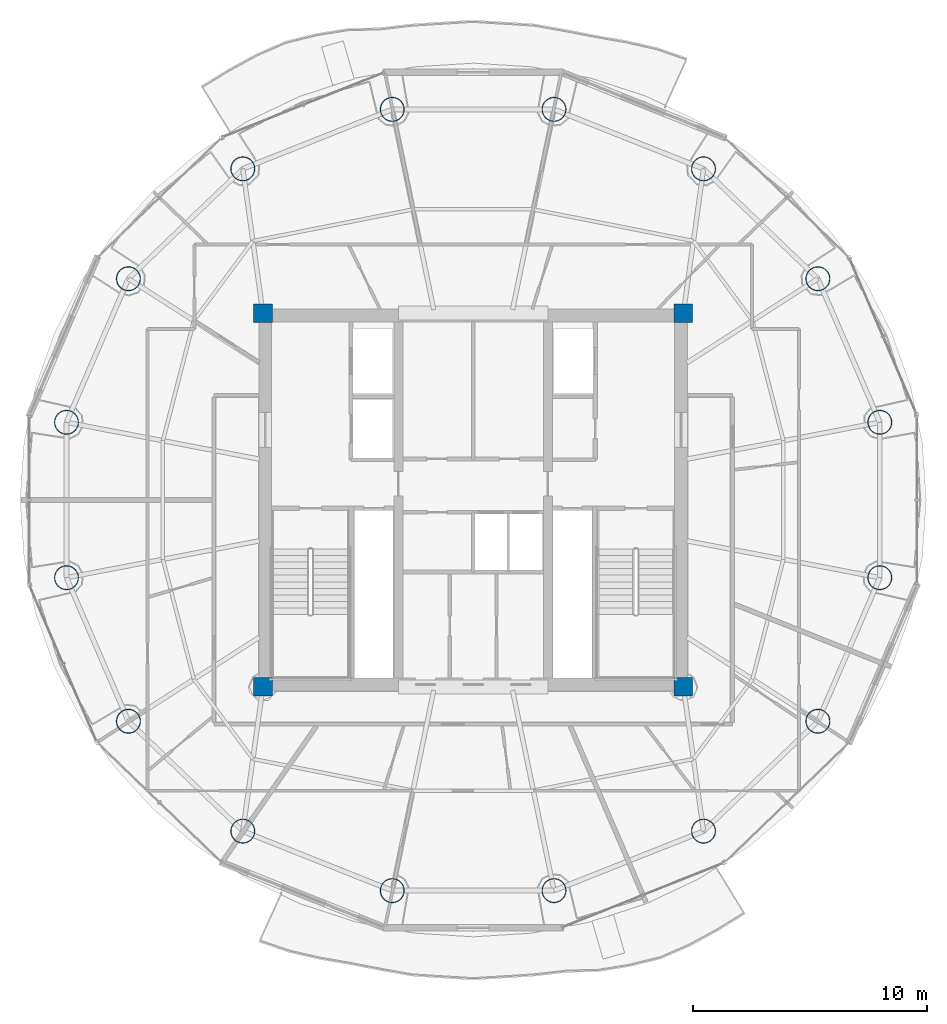
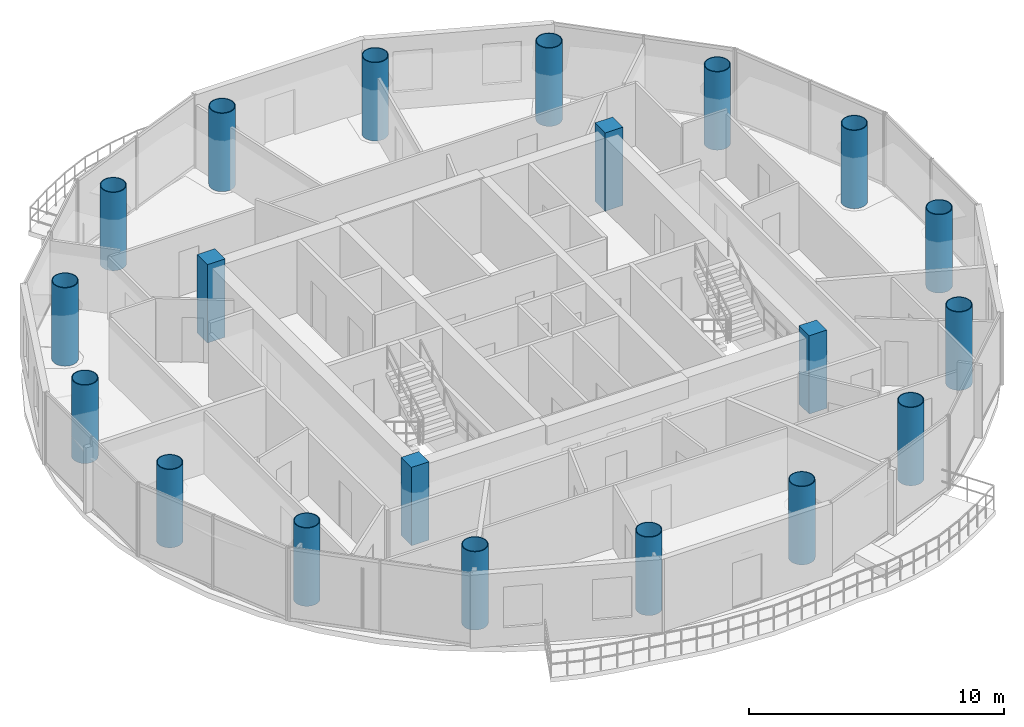
# One storey, part 1 of 24: 20 columns.
"""IFC4 building model written with IfcOpenShell, lengths in metres."""

from ifc_helpers import new_model, si_unit, direction, frame, origin, origin_2d, place, context, subcontext, project, spatial, rectangle, hollow_circle, extrude, material, material_profile, profile_set, type_object, element, save


model = new_model("IFC4")

# Units and contexts
model_context = context("Model", 3, precision=1e-05, world=origin(), true_north=direction((-0.2419218956, 0.970295726276)))
body_context = subcontext(model_context, "Body", "Model", "MODEL_VIEW")
ifc_project = project(units=[si_unit("LENGTHUNIT", "METRE"), si_unit("AREAUNIT", "SQUARE_METRE"), si_unit("VOLUMEUNIT", "CUBIC_METRE"), si_unit("PLANEANGLEUNIT", "RADIAN"), si_unit("MASSUNIT", "GRAM", prefix="KILO")], contexts=[model_context])

# Site, building, storey
site_placement = place(None, origin())
site = spatial("IfcSite", under=ifc_project, at=site_placement, CompositionType="ELEMENT")
building_placement = place(site_placement, origin())
building = spatial("IfcBuilding", under=site, at=building_placement, Name="Cobrevalo Terracotta Tower", CompositionType="ELEMENT")
storey_placement = place(building_placement, frame((0.0, 0.0, 274.449951171875)))
storey = spatial("IfcBuildingStorey", under=building, at=storey_placement, Name="L72", CompositionType="ELEMENT", Elevation=274.449951171875)

# Columns
ifc_material_1 = material(Name="Steel S355", Category="steel")
ifc_material_profile_1 = material_profile(ifc_material_1, hollow_circle(Radius=0.52490234375, WallThickness=0.034912109375, at=origin_2d()), Name="CHS 1050x35")
ifc_profile_set_1 = profile_set([ifc_material_profile_1], Name="Steel S355")
column_type_1 = type_object("IfcColumnType", Name="Structural Column CHS 1050x35 (Steel S355)", PredefinedType="COLUMN", material=ifc_profile_set_1)
for number, where, z_axis, x_axis, name in (
    (1, (55.408935546875, 30.126220703125, 0.0), (0.0, 0.0, 1.0), (1.0, 0.0, 0.0), "L72 composite megacolumn MC01"),
    (2, (52.758544921875, 36.2724609375, 0.0), (0.0, 0.0, 1.0), (1.0, 0.0, 0.0), "L72 composite megacolumn MC02"),
    (3, (47.861328125, 40.9765625, 0.0), (0.0, 0.0, 1.0), (1.0, 0.0, 0.0), "L72 composite megacolumn MC03"),
    (4, (41.462890625, 43.5224609375, 0.0), (0.0, 0.0, 1.0), (1.0, 0.0, 0.0), "L72 composite megacolumn MC04"),
    (5, (34.537109375, 43.5224609375, 0.0), (0.0, 0.0, 1.0), (1.0, 0.0, 0.0), "L72 composite megacolumn MC05"),
    (6, (28.138671875, 40.9765625, 0.0), (0.0, 0.0, 1.0), (1.0, 0.0, 0.0), "L72 composite megacolumn MC06"),
    (7, (23.241455078125, 36.2724609375, 0.0), (0.0, 0.0, 1.0), (1.0, 0.0, 0.0), "L72 composite megacolumn MC07"),
    (8, (20.591064453125, 30.126220703125, 0.0), (0.0, 0.0, 1.0), (1.0, 0.0, 0.0), "L72 composite megacolumn MC08"),
    (9, (20.591064453125, 23.4736328125, 0.0), (0.0, 0.0, 1.0), (1.0, 0.0, 0.0), "L72 composite megacolumn MC09"),
    (10, (23.241455078125, 17.32763671875, 0.0), (0.0, 0.0, 1.0), (1.0, 0.0, 0.0), "L72 composite megacolumn MC10"),
    (11, (28.138671875, 12.62353515625, 0.0), (0.0, 0.0, 1.0), (1.0, 0.0, 0.0), "L72 composite megacolumn MC11"),
    (12, (34.537109375, 10.07763671875, 0.0), (0.0, 0.0, 1.0), (1.0, 0.0, 0.0), "L72 composite megacolumn MC12"),
    (13, (41.462890625, 10.07763671875, 0.0), (0.0, 0.0, 1.0), (1.0, 0.0, 0.0), "L72 composite megacolumn MC13"),
    (14, (47.861328125, 12.62353515625, 0.0), (0.0, 0.0, 1.0), (1.0, 0.0, 0.0), "L72 composite megacolumn MC14"),
    (15, (52.758544921875, 17.32763671875, 0.0), (0.0, 0.0, 1.0), (1.0, 0.0, 0.0), "L72 composite megacolumn MC15"),
    (16, (55.408935546875, 23.4736328125, 0.0), (0.0, 0.0, 1.0), (1.0, 0.0, 0.0), "L72 composite megacolumn MC16"),
):
    element("IfcColumn", number, at=place(storey_placement, frame(where, z_axis=z_axis, x_axis=x_axis)), inside=storey, type_object=column_type_1, Name=name, PredefinedType="COLUMN", context=body_context, shape_type="SweptSolid", body=[
        extrude(hollow_circle(Radius=0.52490234375, WallThickness=0.034912109375, at=origin_2d()), origin(), (0.0, 0.0, 1.0), 3.75),
    ])
ifc_material_2 = material(Name="Concrete C50", Category="concrete")
ifc_material_profile_2 = material_profile(ifc_material_2, rectangle(XDim=0.800048828125, YDim=0.800048828125, at=origin_2d()), Name="RC COL 800x800")
ifc_profile_set_2 = profile_set([ifc_material_profile_2], Name="Concrete C50")
column_type_2 = type_object("IfcColumnType", Name="Structural Column RC COL 800x800 (Concrete C50)", PredefinedType="COLUMN", material=ifc_profile_set_2)
for number, where, z_axis, x_axis, name in (
    (17, (29.0, 18.800048828125, 0.0), (0.0, 0.0, 1.0), (1.0, 0.0, 0.0), "L72 core corner column CC1"),
    (18, (47.0, 18.800048828125, 0.0), (0.0, 0.0, 1.0), (1.0, 0.0, 0.0), "L72 core corner column CC2"),
    (19, (47.0, 34.800048828125, 0.0), (0.0, 0.0, 1.0), (1.0, 0.0, 0.0), "L72 core corner column CC3"),
    (20, (29.0, 34.800048828125, 0.0), (0.0, 0.0, 1.0), (1.0, 0.0, 0.0), "L72 core corner column CC4"),
):
    element("IfcColumn", number, at=place(storey_placement, frame(where, z_axis=z_axis, x_axis=x_axis)), inside=storey, type_object=column_type_2, Name=name, PredefinedType="COLUMN", context=body_context, shape_type="SweptSolid", body=[
        extrude(rectangle(XDim=0.800048828125, YDim=0.800048828125, at=origin_2d()), origin(), (0.0, 0.0, 1.0), 3.75),
    ])

save(model, "model.ifc")
